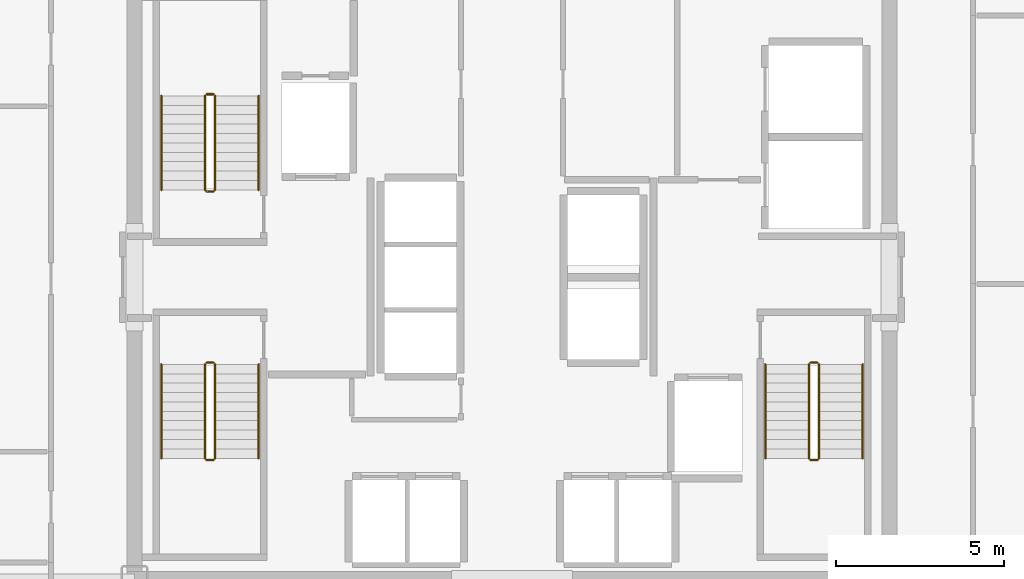
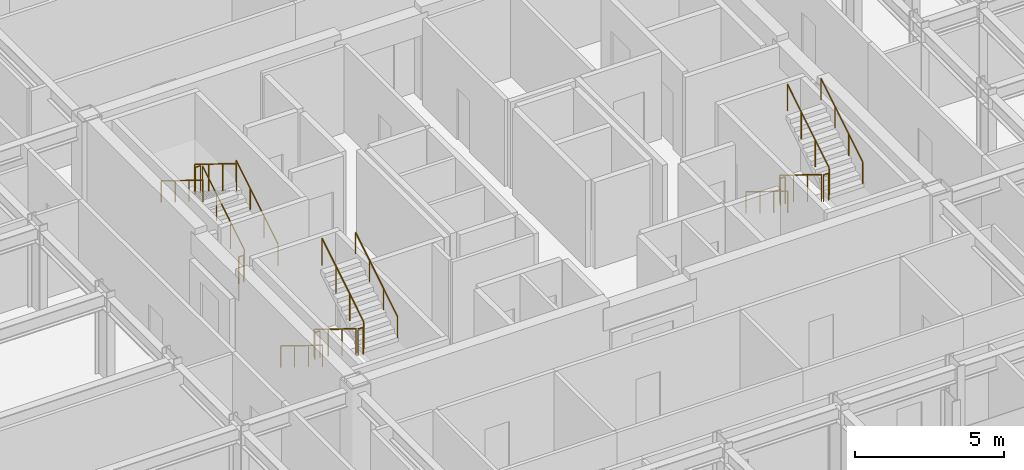
# One storey, part 21 of 21: 18 railings.
"""IFC4 building model written with IfcOpenShell, lengths in metres."""

from ifc_helpers import new_model, si_unit, direction, frame, origin, origin_2d, place, context, subcontext, project, spatial, circle, extrude, material, type_object, element, save


model = new_model("IFC4")

# Units and contexts
model_context = context("Model", 3, precision=1e-05, world=origin(), true_north=direction((0.0, 1.0)))
body_context = subcontext(model_context, "Body", "Model", "MODEL_VIEW")
ifc_project = project(units=[si_unit("LENGTHUNIT", "METRE"), si_unit("AREAUNIT", "SQUARE_METRE"), si_unit("VOLUMEUNIT", "CUBIC_METRE"), si_unit("PLANEANGLEUNIT", "RADIAN"), si_unit("MASSUNIT", "GRAM", prefix="KILO")], contexts=[model_context])

# Site, building, storey
site_placement = place(None, origin())
site = spatial("IfcSite", under=ifc_project, at=site_placement, CompositionType="ELEMENT")
building_placement = place(site_placement, origin())
building = spatial("IfcBuilding", under=site, at=building_placement, Name="Nefas-Gora Pilgrimage Tower", CompositionType="ELEMENT")
storey_placement = place(building_placement, frame((0.0, 0.0, 229.39990234375)))
storey = spatial("IfcBuildingStorey", under=building, at=storey_placement, Name="L57", CompositionType="ELEMENT", Elevation=229.39990234375)

# Railings
ifc_material_1 = material(Name="Painted galvanised steel", Category="steel")
railing_type_1 = type_object("IfcRailingType", Name="RLG-STR-GUARD-1100", PredefinedType="GUARDRAIL", material=ifc_material_1)
railing_1_placement = place(storey_placement, frame((-8.85009765625, 2.60009765625, 0.1728515625)))
element("IfcRailing", 1, at=railing_1_placement, inside=storey, type_object=railing_type_1, Name="L57 ST-01 stair guard 1", PredefinedType="GUARDRAIL", context=body_context, shape_type="SweptSolid", body=[
    extrude(circle(Radius=0.02392578125, at=origin_2d()), frame((0.0, 0.0, 1.09619140625), z_axis=(0.0, 0.851069175582, 0.525053576669), x_axis=(-1.0, 0.0, 0.0)), (0.0, 0.0, 1.0), 3.289794921875),
    extrude(circle(Radius=0.02099609375, at=origin_2d()), origin(), (0.0, 0.0, 1.0), 1.072021484375),
    extrude(circle(Radius=0.02099609375, at=origin_2d()), frame((0.0, 0.933349609375, 0.57568359375)), (0.0, 0.0, 1.0), 1.072021484375),
    extrude(circle(Radius=0.02099609375, at=origin_2d()), frame((0.0, 1.866455078125, 1.151611328125)), (0.0, 0.0, 1.0), 1.072021484375),
    extrude(circle(Radius=0.02099609375, at=origin_2d()), frame((0.0, 2.7998046875, 1.727294921875)), (0.0, 0.0, 1.0), 1.072021484375),
])
railing_2_placement = place(storey_placement, frame((-8.89990234375, 5.449951171875, 1.900146484375)))
element("IfcRailing", 2, at=railing_2_placement, inside=storey, type_object=railing_type_1, Name="L57 ST-01 stair guard 2", PredefinedType="GUARDRAIL", context=body_context, shape_type="SweptSolid", body=[
    extrude(circle(Radius=0.02392578125, at=origin_2d()), frame((0.0, 0.0, 1.09619140625), z_axis=(-1.0, 0.0, 0.0), x_axis=(0.0, -1.0, 0.0)), (0.0, 0.0, 1.0), 0.2001953125),
    extrude(circle(Radius=0.02099609375, at=origin_2d()), origin(), (0.0, 0.0, 1.0), 1.072021484375),
    extrude(circle(Radius=0.02099609375, at=origin_2d()), frame((-0.2001953125, 0.0, 0.0)), (0.0, 0.0, 1.0), 1.072021484375),
])
railing_3_placement = place(storey_placement, frame((-9.14990234375, 5.39990234375, 2.07275390625)))
element("IfcRailing", 3, at=railing_3_placement, inside=storey, type_object=railing_type_1, Name="L57 ST-01 stair guard 3", PredefinedType="GUARDRAIL", context=body_context, shape_type="SweptSolid", body=[
    extrude(circle(Radius=0.02392578125, at=origin_2d()), frame((0.0, 0.0, 1.09619140625), z_axis=(0.0, -0.851069175582, 0.525053576669), x_axis=(1.0, 0.0, 0.0)), (0.0, 0.0, 1.0), 3.289794921875),
    extrude(circle(Radius=0.02099609375, at=origin_2d()), origin(), (0.0, 0.0, 1.0), 1.072021484375),
    extrude(circle(Radius=0.02099609375, at=origin_2d()), frame((0.0, -0.933349609375, 0.57568359375)), (0.0, 0.0, 1.0), 1.072021484375),
    extrude(circle(Radius=0.02099609375, at=origin_2d()), frame((0.0, -1.866455078125, 1.151611328125)), (0.0, 0.0, 1.0), 1.072021484375),
    extrude(circle(Radius=0.02099609375, at=origin_2d()), frame((0.0, -2.7998046875, 1.727294921875)), (0.0, 0.0, 1.0), 1.072021484375),
])
railing_4_placement = place(storey_placement, frame((-8.89990234375, 2.550048828125, 0.0)))
element("IfcRailing", 4, at=railing_4_placement, inside=storey, type_object=railing_type_1, Name="L57 ST-01 stair guard 4", PredefinedType="GUARDRAIL", context=body_context, shape_type="SweptSolid", body=[
    extrude(circle(Radius=0.02392578125, at=origin_2d()), frame((0.0, 0.0, 1.09619140625), z_axis=(-1.0, 0.0, 0.0), x_axis=(0.0, -1.0, 0.0)), (0.0, 0.0, 1.0), 0.2001953125),
    extrude(circle(Radius=0.02099609375, at=origin_2d()), origin(), (0.0, 0.0, 1.0), 1.072021484375),
    extrude(circle(Radius=0.02099609375, at=origin_2d()), frame((-0.2001953125, 0.0, 0.0)), (0.0, 0.0, 1.0), 1.072021484375),
])
railing_5_placement = place(storey_placement, frame((8.85009765625, -2.60009765625, 0.1728515625)))
element("IfcRailing", 5, at=railing_5_placement, inside=storey, type_object=railing_type_1, Name="L57 ST-02 stair guard 1", PredefinedType="GUARDRAIL", context=body_context, shape_type="SweptSolid", body=[
    extrude(circle(Radius=0.02392578125, at=origin_2d()), frame((0.0, 0.0, 1.09619140625), z_axis=(0.0, -0.851069175582, 0.525053576669), x_axis=(1.0, 0.0, 0.0)), (0.0, 0.0, 1.0), 3.289794921875),
    extrude(circle(Radius=0.02099609375, at=origin_2d()), origin(), (0.0, 0.0, 1.0), 1.072021484375),
    extrude(circle(Radius=0.02099609375, at=origin_2d()), frame((0.0, -0.933349609375, 0.57568359375)), (0.0, 0.0, 1.0), 1.072021484375),
    extrude(circle(Radius=0.02099609375, at=origin_2d()), frame((0.0, -1.866455078125, 1.151611328125)), (0.0, 0.0, 1.0), 1.072021484375),
    extrude(circle(Radius=0.02099609375, at=origin_2d()), frame((0.0, -2.7998046875, 1.727294921875)), (0.0, 0.0, 1.0), 1.072021484375),
])
railing_6_placement = place(storey_placement, frame((8.89990234375, -5.449951171875, 1.900146484375)))
element("IfcRailing", 6, at=railing_6_placement, inside=storey, type_object=railing_type_1, Name="L57 ST-02 stair guard 2", PredefinedType="GUARDRAIL", context=body_context, shape_type="SweptSolid", body=[
    extrude(circle(Radius=0.02392578125, at=origin_2d()), frame((0.0, 0.0, 1.09619140625), z_axis=(1.0, 0.0, 0.0), x_axis=(0.0, 1.0, 0.0)), (0.0, 0.0, 1.0), 0.2001953125),
    extrude(circle(Radius=0.02099609375, at=origin_2d()), origin(), (0.0, 0.0, 1.0), 1.072021484375),
    extrude(circle(Radius=0.02099609375, at=origin_2d()), frame((0.2001953125, 0.0, 0.0)), (0.0, 0.0, 1.0), 1.072021484375),
])
railing_7_placement = place(storey_placement, frame((9.14990234375, -5.39990234375, 2.07275390625)))
element("IfcRailing", 7, at=railing_7_placement, inside=storey, type_object=railing_type_1, Name="L57 ST-02 stair guard 3", PredefinedType="GUARDRAIL", context=body_context, shape_type="SweptSolid", body=[
    extrude(circle(Radius=0.02392578125, at=origin_2d()), frame((0.0, 0.0, 1.09619140625), z_axis=(0.0, 0.851069175582, 0.525053576669), x_axis=(-1.0, 0.0, 0.0)), (0.0, 0.0, 1.0), 3.289794921875),
    extrude(circle(Radius=0.02099609375, at=origin_2d()), origin(), (0.0, 0.0, 1.0), 1.072021484375),
    extrude(circle(Radius=0.02099609375, at=origin_2d()), frame((0.0, 0.933349609375, 0.57568359375)), (0.0, 0.0, 1.0), 1.072021484375),
    extrude(circle(Radius=0.02099609375, at=origin_2d()), frame((0.0, 1.866455078125, 1.151611328125)), (0.0, 0.0, 1.0), 1.072021484375),
    extrude(circle(Radius=0.02099609375, at=origin_2d()), frame((0.0, 2.7998046875, 1.727294921875)), (0.0, 0.0, 1.0), 1.072021484375),
])
railing_8_placement = place(storey_placement, frame((8.89990234375, -2.550048828125, 0.0)))
element("IfcRailing", 8, at=railing_8_placement, inside=storey, type_object=railing_type_1, Name="L57 ST-02 stair guard 4", PredefinedType="GUARDRAIL", context=body_context, shape_type="SweptSolid", body=[
    extrude(circle(Radius=0.02392578125, at=origin_2d()), frame((0.0, 0.0, 1.09619140625), z_axis=(1.0, 0.0, 0.0), x_axis=(0.0, 1.0, 0.0)), (0.0, 0.0, 1.0), 0.2001953125),
    extrude(circle(Radius=0.02099609375, at=origin_2d()), origin(), (0.0, 0.0, 1.0), 1.072021484375),
    extrude(circle(Radius=0.02099609375, at=origin_2d()), frame((0.2001953125, 0.0, 0.0)), (0.0, 0.0, 1.0), 1.072021484375),
])
railing_9_placement = place(storey_placement, frame((-9.14990234375, -2.60009765625, 0.1728515625)))
element("IfcRailing", 9, at=railing_9_placement, inside=storey, type_object=railing_type_1, Name="L57 ST-03 stair guard 1", PredefinedType="GUARDRAIL", context=body_context, shape_type="SweptSolid", body=[
    extrude(circle(Radius=0.02392578125, at=origin_2d()), frame((0.0, 0.0, 1.09619140625), z_axis=(0.0, -0.851069175582, 0.525053576669), x_axis=(1.0, 0.0, 0.0)), (0.0, 0.0, 1.0), 3.289794921875),
    extrude(circle(Radius=0.02099609375, at=origin_2d()), origin(), (0.0, 0.0, 1.0), 1.072021484375),
    extrude(circle(Radius=0.02099609375, at=origin_2d()), frame((0.0, -0.933349609375, 0.57568359375)), (0.0, 0.0, 1.0), 1.072021484375),
    extrude(circle(Radius=0.02099609375, at=origin_2d()), frame((0.0, -1.866455078125, 1.151611328125)), (0.0, 0.0, 1.0), 1.072021484375),
    extrude(circle(Radius=0.02099609375, at=origin_2d()), frame((0.0, -2.7998046875, 1.727294921875)), (0.0, 0.0, 1.0), 1.072021484375),
])
railing_10_placement = place(storey_placement, frame((-9.10009765625, -5.449951171875, 1.900146484375)))
element("IfcRailing", 10, at=railing_10_placement, inside=storey, type_object=railing_type_1, Name="L57 ST-03 stair guard 2", PredefinedType="GUARDRAIL", context=body_context, shape_type="SweptSolid", body=[
    extrude(circle(Radius=0.02392578125, at=origin_2d()), frame((0.0, 0.0, 1.09619140625), z_axis=(1.0, 0.0, 0.0), x_axis=(0.0, 1.0, 0.0)), (0.0, 0.0, 1.0), 0.2001953125),
    extrude(circle(Radius=0.02099609375, at=origin_2d()), origin(), (0.0, 0.0, 1.0), 1.072021484375),
    extrude(circle(Radius=0.02099609375, at=origin_2d()), frame((0.2001953125, 0.0, 0.0)), (0.0, 0.0, 1.0), 1.072021484375),
])
railing_11_placement = place(storey_placement, frame((-8.85009765625, -5.39990234375, 2.07275390625)))
element("IfcRailing", 11, at=railing_11_placement, inside=storey, type_object=railing_type_1, Name="L57 ST-03 stair guard 3", PredefinedType="GUARDRAIL", context=body_context, shape_type="SweptSolid", body=[
    extrude(circle(Radius=0.02392578125, at=origin_2d()), frame((0.0, 0.0, 1.09619140625), z_axis=(0.0, 0.851069175582, 0.525053576669), x_axis=(-1.0, 0.0, 0.0)), (0.0, 0.0, 1.0), 3.289794921875),
    extrude(circle(Radius=0.02099609375, at=origin_2d()), origin(), (0.0, 0.0, 1.0), 1.072021484375),
    extrude(circle(Radius=0.02099609375, at=origin_2d()), frame((0.0, 0.933349609375, 0.57568359375)), (0.0, 0.0, 1.0), 1.072021484375),
    extrude(circle(Radius=0.02099609375, at=origin_2d()), frame((0.0, 1.866455078125, 1.151611328125)), (0.0, 0.0, 1.0), 1.072021484375),
    extrude(circle(Radius=0.02099609375, at=origin_2d()), frame((0.0, 2.7998046875, 1.727294921875)), (0.0, 0.0, 1.0), 1.072021484375),
])
railing_12_placement = place(storey_placement, frame((-9.10009765625, -2.550048828125, 0.0)))
element("IfcRailing", 12, at=railing_12_placement, inside=storey, type_object=railing_type_1, Name="L57 ST-03 stair guard 4", PredefinedType="GUARDRAIL", context=body_context, shape_type="SweptSolid", body=[
    extrude(circle(Radius=0.02392578125, at=origin_2d()), frame((0.0, 0.0, 1.09619140625), z_axis=(1.0, 0.0, 0.0), x_axis=(0.0, 1.0, 0.0)), (0.0, 0.0, 1.0), 0.2001953125),
    extrude(circle(Radius=0.02099609375, at=origin_2d()), origin(), (0.0, 0.0, 1.0), 1.072021484375),
    extrude(circle(Radius=0.02099609375, at=origin_2d()), frame((0.2001953125, 0.0, 0.0)), (0.0, 0.0, 1.0), 1.072021484375),
])
ifc_material_2 = material(Name="Brushed stainless steel", Category="steel")
railing_type_2 = type_object("IfcRailingType", Name="RLG-STR-HAND-900", PredefinedType="HANDRAIL", material=ifc_material_2)
railing_13_placement = place(storey_placement, frame((-7.550048828125, 2.60009765625, 0.1728515625)))
element("IfcRailing", 13, at=railing_13_placement, inside=storey, type_object=railing_type_2, Name="L57 ST-01 stair handrail 1", PredefinedType="HANDRAIL", context=body_context, shape_type="SweptSolid", body=[
    extrude(circle(Radius=0.02392578125, at=origin_2d()), frame((0.0, 0.0, 0.8759765625), z_axis=(0.0, 0.851069175582, 0.525053576669), x_axis=(-1.0, 0.0, 0.0)), (0.0, 0.0, 1.0), 3.289794921875),
    extrude(circle(Radius=0.02099609375, at=origin_2d()), origin(), (0.0, 0.0, 1.0), 0.851806640625),
    extrude(circle(Radius=0.02099609375, at=origin_2d()), frame((0.0, 0.933349609375, 0.57568359375)), (0.0, 0.0, 1.0), 0.851806640625),
    extrude(circle(Radius=0.02099609375, at=origin_2d()), frame((0.0, 1.866455078125, 1.151611328125)), (0.0, 0.0, 1.0), 0.851806640625),
    extrude(circle(Radius=0.02099609375, at=origin_2d()), frame((0.0, 2.7998046875, 1.727294921875)), (0.0, 0.0, 1.0), 0.851806640625),
])
for number, where, name in (
    (14, (-10.449951171875, 5.39990234375, 2.07275390625), "L57 ST-01 stair handrail 2"),
    (15, (7.550048828125, -2.60009765625, 0.1728515625), "L57 ST-02 stair handrail 1"),
):
    element("IfcRailing", number, at=place(storey_placement, frame(where)), inside=storey, type_object=railing_type_2, Name=name, PredefinedType="HANDRAIL", context=body_context, shape_type="SweptSolid", body=[
        extrude(circle(Radius=0.02392578125, at=origin_2d()), frame((0.0, 0.0, 0.8759765625), z_axis=(0.0, -0.851069175582, 0.525053576669), x_axis=(1.0, 0.0, 0.0)), (0.0, 0.0, 1.0), 3.289794921875),
        extrude(circle(Radius=0.02099609375, at=origin_2d()), origin(), (0.0, 0.0, 1.0), 0.851806640625),
        extrude(circle(Radius=0.02099609375, at=origin_2d()), frame((0.0, -0.933349609375, 0.57568359375)), (0.0, 0.0, 1.0), 0.851806640625),
        extrude(circle(Radius=0.02099609375, at=origin_2d()), frame((0.0, -1.866455078125, 1.151611328125)), (0.0, 0.0, 1.0), 0.851806640625),
        extrude(circle(Radius=0.02099609375, at=origin_2d()), frame((0.0, -2.7998046875, 1.727294921875)), (0.0, 0.0, 1.0), 0.851806640625),
    ])
railing_14_placement = place(storey_placement, frame((10.449951171875, -5.39990234375, 2.07275390625)))
element("IfcRailing", 16, at=railing_14_placement, inside=storey, type_object=railing_type_2, Name="L57 ST-02 stair handrail 2", PredefinedType="HANDRAIL", context=body_context, shape_type="SweptSolid", body=[
    extrude(circle(Radius=0.02392578125, at=origin_2d()), frame((0.0, 0.0, 0.8759765625), z_axis=(0.0, 0.851069175582, 0.525053576669), x_axis=(-1.0, 0.0, 0.0)), (0.0, 0.0, 1.0), 3.289794921875),
    extrude(circle(Radius=0.02099609375, at=origin_2d()), origin(), (0.0, 0.0, 1.0), 0.851806640625),
    extrude(circle(Radius=0.02099609375, at=origin_2d()), frame((0.0, 0.933349609375, 0.57568359375)), (0.0, 0.0, 1.0), 0.851806640625),
    extrude(circle(Radius=0.02099609375, at=origin_2d()), frame((0.0, 1.866455078125, 1.151611328125)), (0.0, 0.0, 1.0), 0.851806640625),
    extrude(circle(Radius=0.02099609375, at=origin_2d()), frame((0.0, 2.7998046875, 1.727294921875)), (0.0, 0.0, 1.0), 0.851806640625),
])
railing_15_placement = place(storey_placement, frame((-10.449951171875, -2.60009765625, 0.1728515625)))
element("IfcRailing", 17, at=railing_15_placement, inside=storey, type_object=railing_type_2, Name="L57 ST-03 stair handrail 1", PredefinedType="HANDRAIL", context=body_context, shape_type="SweptSolid", body=[
    extrude(circle(Radius=0.02392578125, at=origin_2d()), frame((0.0, 0.0, 0.8759765625), z_axis=(0.0, -0.851069175582, 0.525053576669), x_axis=(1.0, 0.0, 0.0)), (0.0, 0.0, 1.0), 3.289794921875),
    extrude(circle(Radius=0.02099609375, at=origin_2d()), origin(), (0.0, 0.0, 1.0), 0.851806640625),
    extrude(circle(Radius=0.02099609375, at=origin_2d()), frame((0.0, -0.933349609375, 0.57568359375)), (0.0, 0.0, 1.0), 0.851806640625),
    extrude(circle(Radius=0.02099609375, at=origin_2d()), frame((0.0, -1.866455078125, 1.151611328125)), (0.0, 0.0, 1.0), 0.851806640625),
    extrude(circle(Radius=0.02099609375, at=origin_2d()), frame((0.0, -2.7998046875, 1.727294921875)), (0.0, 0.0, 1.0), 0.851806640625),
])
railing_16_placement = place(storey_placement, frame((-7.550048828125, -5.39990234375, 2.07275390625)))
element("IfcRailing", 18, at=railing_16_placement, inside=storey, type_object=railing_type_2, Name="L57 ST-03 stair handrail 2", PredefinedType="HANDRAIL", context=body_context, shape_type="SweptSolid", body=[
    extrude(circle(Radius=0.02392578125, at=origin_2d()), frame((0.0, 0.0, 0.8759765625), z_axis=(0.0, 0.851069175582, 0.525053576669), x_axis=(-1.0, 0.0, 0.0)), (0.0, 0.0, 1.0), 3.289794921875),
    extrude(circle(Radius=0.02099609375, at=origin_2d()), origin(), (0.0, 0.0, 1.0), 0.851806640625),
    extrude(circle(Radius=0.02099609375, at=origin_2d()), frame((0.0, 0.933349609375, 0.57568359375)), (0.0, 0.0, 1.0), 0.851806640625),
    extrude(circle(Radius=0.02099609375, at=origin_2d()), frame((0.0, 1.866455078125, 1.151611328125)), (0.0, 0.0, 1.0), 0.851806640625),
    extrude(circle(Radius=0.02099609375, at=origin_2d()), frame((0.0, 2.7998046875, 1.727294921875)), (0.0, 0.0, 1.0), 0.851806640625),
])

save(model, "model.ifc")
